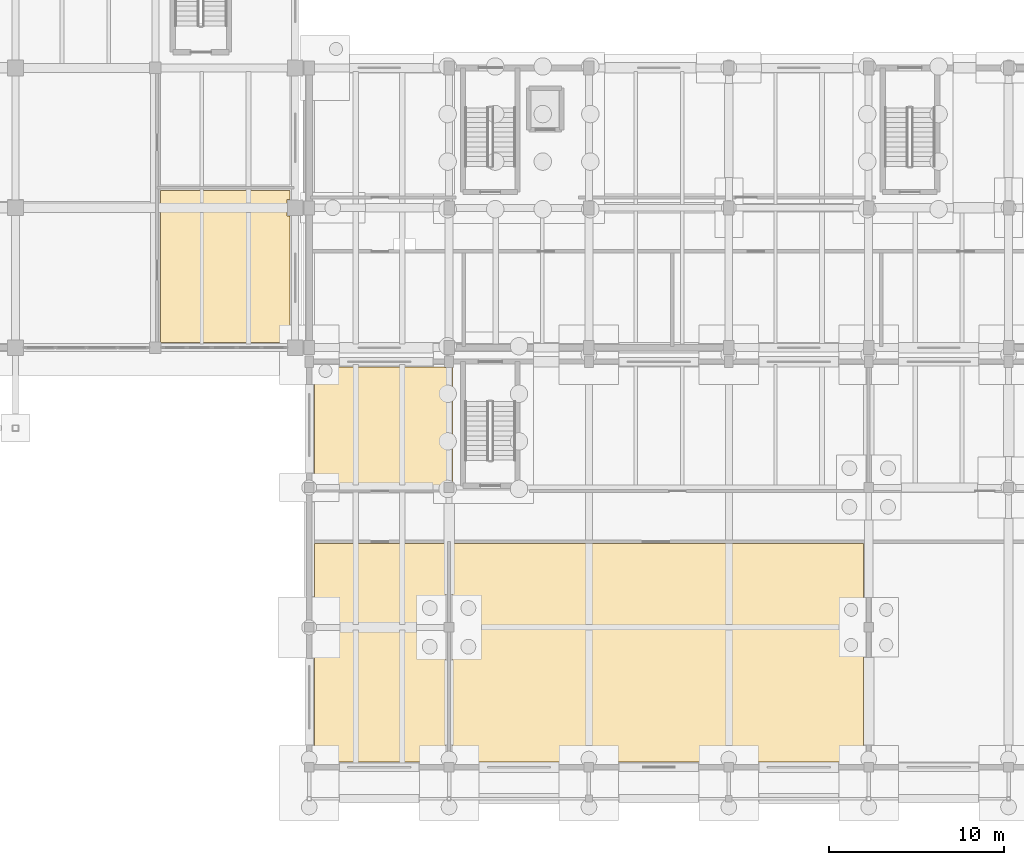
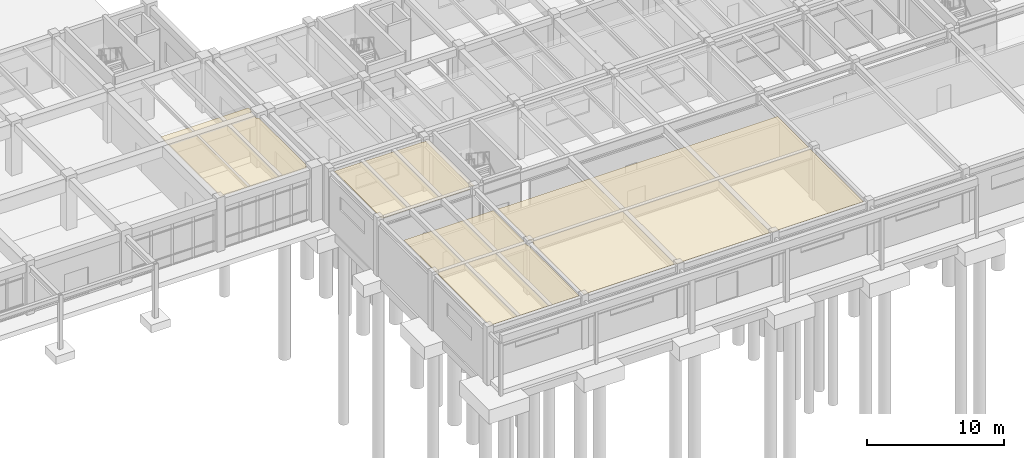
# One storey, part 51 of 64: 4 coverings.
"""IFC4 building model written with IfcOpenShell, lengths in metres."""

from ifc_helpers import new_model, si_unit, direction, frame, origin, place, context, subcontext, project, spatial, polyline, outline, extrude, material, layer, layer_set, type_object, element, save


model = new_model("IFC4")

# Units and contexts
model_context = context("Model", 3, precision=1e-05, world=origin(), true_north=direction((0.0, 1.0)))
body_context = subcontext(model_context, "Body", "Model", "MODEL_VIEW")
ifc_project = project(units=[si_unit("LENGTHUNIT", "METRE"), si_unit("AREAUNIT", "SQUARE_METRE"), si_unit("VOLUMEUNIT", "CUBIC_METRE"), si_unit("PLANEANGLEUNIT", "RADIAN"), si_unit("MASSUNIT", "GRAM", prefix="KILO")], contexts=[model_context])

# Site, building, storey
site_placement = place(None, origin())
site = spatial("IfcSite", under=ifc_project, at=site_placement, CompositionType="ELEMENT")
building_placement = place(site_placement, origin())
building = spatial("IfcBuilding", under=site, at=building_placement, Name="Tlaxcora Railside Police Headquarters", CompositionType="ELEMENT")
storey_placement = place(building_placement, origin())
storey = spatial("IfcBuildingStorey", under=building, at=storey_placement, Name="L00", CompositionType="ELEMENT", Elevation=0.0)

# Coverings
ifc_material = material(Name="Mineral-fibre acoustic ceiling tile")
ifc_layer = layer(ifc_material, 0.034912109375, Name="Mineral-fibre acoustic ceiling tile")
ifc_layer_set = layer_set([ifc_layer], Name="Mineral-fibre acoustic ceiling tile")
covering_type = type_object("IfcCoveringType", Name="Acoustic Suspended Ceiling CLG-01", PredefinedType="CEILING", material=ifc_layer_set)
covering_1_placement = place(storey_placement, frame((0.0, 0.0, 4.364990234375)))
element("IfcCovering", 1, at=covering_1_placement, inside=storey, type_object=covering_type, Name="Lost Property and Records Counter suspended ceiling", PredefinedType="CEILING", context=body_context, shape_type="SweptSolid", body=[
    extrude(outline(polyline([(101.699951171875, 45.0), (94.300048828125, 45.0), (94.300048828125, 36.3349609375), (94.3349609375, 36.3349609375), (94.3349609375, 36.300048828125), (101.5400390625, 36.300048828125), (101.5400390625, 36.4599609375), (101.699951171875, 36.4599609375), (101.699951171875, 43.5400390625), (101.5400390625, 43.5400390625), (101.5400390625, 44.4599609375), (101.699951171875, 44.4599609375), (101.699951171875, 45.0)])), origin(), (0.0, 0.0, 1.0), 0.034912109375),
])
covering_2_placement = place(storey_placement, frame((0.0, 0.0, 4.364990234375)))
element("IfcCovering", 2, at=covering_2_placement, inside=storey, type_object=covering_type, Name="Police Gymnasium and Conditioning Court suspended ceiling", PredefinedType="CEILING", context=body_context, shape_type="SweptSolid", body=[
    extrude(outline(polyline([(111.0, 12.300048828125), (134.5, 12.300048828125), (134.5, 24.800048828125), (111.0, 24.800048828125), (111.0, 20.284912109375), (111.0849609375, 20.284912109375), (111.0849609375, 19.715087890625), (111.0, 19.715087890625), (111.0, 12.300048828125)])), origin(), (0.0, 0.0, 1.0), 0.034912109375),
])
covering_3_placement = place(storey_placement, frame((0.0, 0.0, 4.364990234375)))
element("IfcCovering", 3, at=covering_3_placement, inside=storey, type_object=covering_type, Name="Sports Locker, Shower and Accessible WC suspended ceiling", PredefinedType="CEILING", context=body_context, shape_type="SweptSolid", body=[
    extrude(outline(polyline([(103.10009765625, 12.300048828125), (110.60009765625, 12.300048828125), (110.60009765625, 19.715087890625), (110.514892578125, 19.715087890625), (110.514892578125, 20.284912109375), (110.60009765625, 20.284912109375), (110.60009765625, 24.800048828125), (103.10009765625, 24.800048828125), (103.10009765625, 12.300048828125)])), origin(), (0.0, 0.0, 1.0), 0.034912109375),
])
covering_4_placement = place(storey_placement, frame((0.0, 0.0, 4.364990234375)))
element("IfcCovering", 4, at=covering_4_placement, inside=storey, type_object=covering_type, Name="Athletic Equipment Store suspended ceiling", PredefinedType="CEILING", context=body_context, shape_type="SweptSolid", body=[
    extrude(outline(polyline([(103.10009765625, 34.89990234375), (103.10009765625, 28.0), (110.514892578125, 28.0), (110.514892578125, 28.284912109375), (111.0, 28.284912109375), (111.0, 34.864990234375), (110.5400390625, 34.864990234375), (110.5400390625, 34.89990234375), (103.10009765625, 34.89990234375)])), origin(), (0.0, 0.0, 1.0), 0.034912109375),
])

save(model, "model.ifc")
